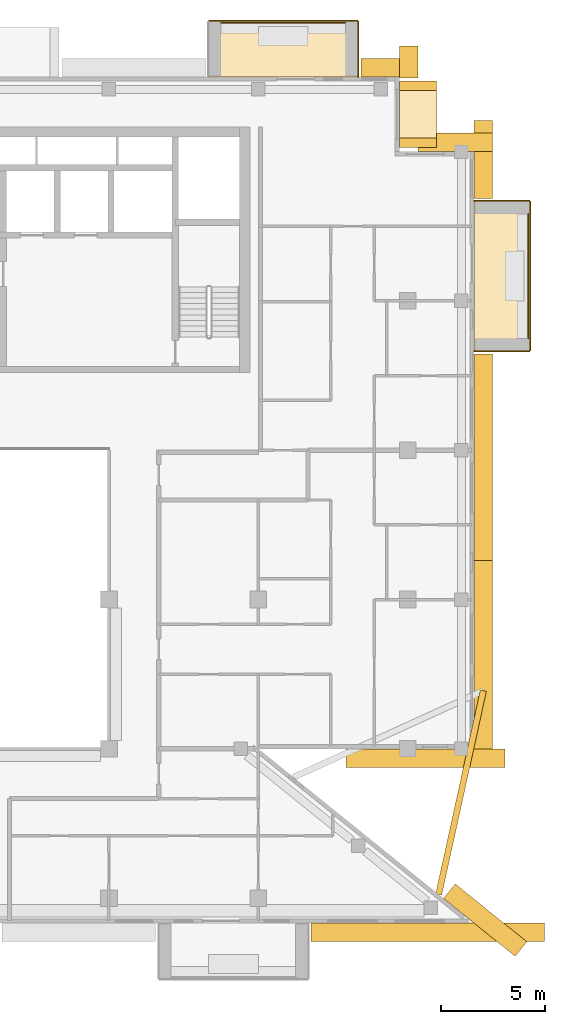
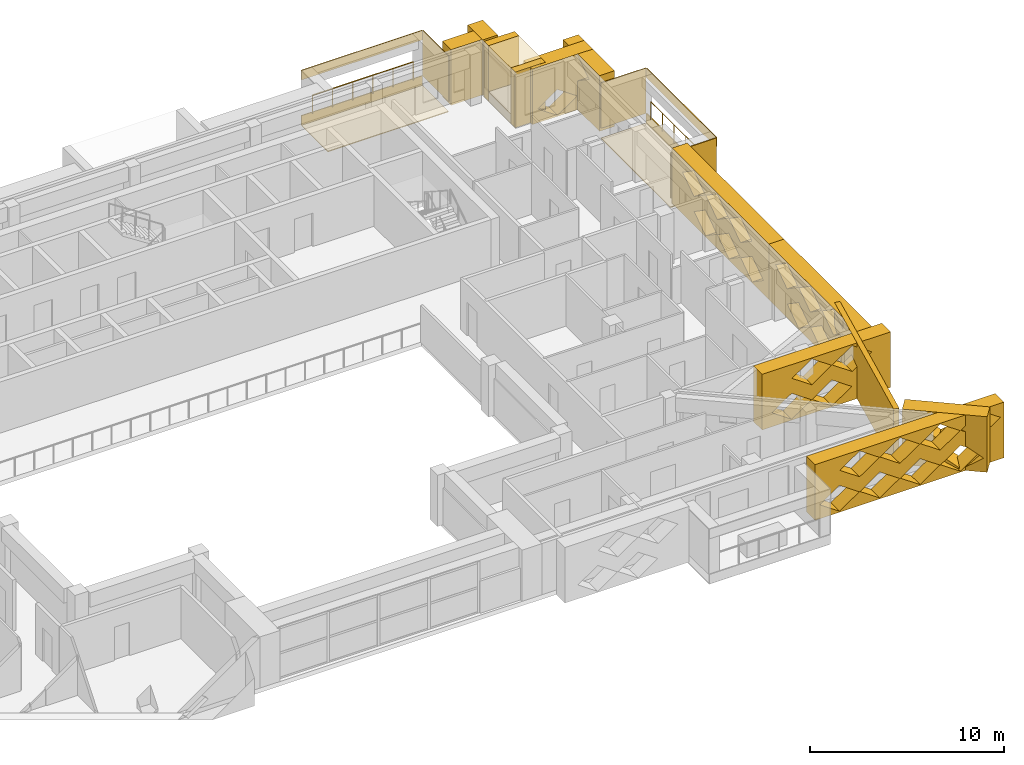
# One storey, part 19 of 19: 23 coverings, 2 railings.
"""IFC4 building model written with IfcOpenShell, lengths in metres."""

from ifc_helpers import new_model, si_unit, direction, frame, origin, origin_2d, place, context, subcontext, project, spatial, polyline, circle, outline, extrude, material, layer, layer_set, type_object, element, save


model = new_model("IFC4")

# Units and contexts
model_context = context("Model", 3, precision=1e-05, world=origin(), true_north=direction((0.0, 1.0)))
body_context = subcontext(model_context, "Body", "Model", "MODEL_VIEW")
ifc_project = project(units=[si_unit("LENGTHUNIT", "METRE"), si_unit("AREAUNIT", "SQUARE_METRE"), si_unit("VOLUMEUNIT", "CUBIC_METRE"), si_unit("PLANEANGLEUNIT", "RADIAN"), si_unit("MASSUNIT", "GRAM", prefix="KILO")], contexts=[model_context])

# Site, building, storey
site_placement = place(None, origin())
site = spatial("IfcSite", under=ifc_project, at=site_placement, CompositionType="ELEMENT")
building_placement = place(site_placement, origin())
building = spatial("IfcBuilding", under=site, at=building_placement, Name="Saffron Iwan Residences", CompositionType="ELEMENT")
storey_placement = place(building_placement, frame((0.0, 0.0, 236.0)))
storey = spatial("IfcBuildingStorey", under=building, at=storey_placement, Name="L63", CompositionType="ELEMENT", Elevation=236.0)

# Railings
ifc_material_1 = material(Name="Stainless steel 316", Category="steel")
railing_type = type_object("IfcRailingType", Name="BALCONY GUARD 1150", PredefinedType="GUARDRAIL", material=ifc_material_1)
railing_1_placement = place(storey_placement, frame((85.02490234375, 67.800048828125, 0.0)))
element("IfcRailing", 1, at=railing_1_placement, inside=storey, type_object=railing_type, Name="Balcony guard L63 F2-1", PredefinedType="GUARDRAIL", context=body_context, shape_type="SweptSolid", body=[
    extrude(circle(Radius=0.02392578125, at=origin_2d()), frame((0.0, 0.0, 1.1259765625), z_axis=(0.0, 1.0, 0.0), x_axis=(-1.0, 0.0, 0.0)), (0.0, 0.0, 1.0), 6.0),
    extrude(circle(Radius=0.02099609375, at=origin_2d()), origin(), (0.0, 0.0, 1.0), 1.101806640625),
    extrude(circle(Radius=0.02099609375, at=origin_2d()), frame((0.0, 1.199951171875, 0.0)), (0.0, 0.0, 1.0), 1.101806640625),
    extrude(circle(Radius=0.02099609375, at=origin_2d()), frame((0.0, 2.39990234375, 0.0)), (0.0, 0.0, 1.0), 1.101806640625),
    extrude(circle(Radius=0.02099609375, at=origin_2d()), frame((0.0, 3.60009765625, 0.0)), (0.0, 0.0, 1.0), 1.101806640625),
    extrude(circle(Radius=0.02099609375, at=origin_2d()), frame((0.0, 4.800048828125, 0.0)), (0.0, 0.0, 1.0), 1.101806640625),
    extrude(circle(Radius=0.02099609375, at=origin_2d()), frame((0.0, 6.0, 0.0)), (0.0, 0.0, 1.0), 1.101806640625),
])
railing_2_placement = place(storey_placement, frame((76.199951171875, 83.02490234375, 0.0)))
element("IfcRailing", 2, at=railing_2_placement, inside=storey, type_object=railing_type, Name="Balcony guard L63 F5-0", PredefinedType="GUARDRAIL", context=body_context, shape_type="SweptSolid", body=[
    extrude(circle(Radius=0.02392578125, at=origin_2d()), frame((0.0, 0.0, 1.1259765625), z_axis=(-1.0, 0.0, 0.0), x_axis=(0.0, -1.0, 0.0)), (0.0, 0.0, 1.0), 6.0),
    extrude(circle(Radius=0.02099609375, at=origin_2d()), origin(), (0.0, 0.0, 1.0), 1.101806640625),
    extrude(circle(Radius=0.02099609375, at=origin_2d()), frame((-1.199951171875, 0.0, 0.0)), (0.0, 0.0, 1.0), 1.101806640625),
    extrude(circle(Radius=0.02099609375, at=origin_2d()), frame((-2.39990234375, 0.0, 0.0)), (0.0, 0.0, 1.0), 1.101806640625),
    extrude(circle(Radius=0.02099609375, at=origin_2d()), frame((-3.60009765625, 0.0, 0.0)), (0.0, 0.0, 1.0), 1.101806640625),
    extrude(circle(Radius=0.02099609375, at=origin_2d()), frame((-4.800048828125, 0.0, 0.0)), (0.0, 0.0, 1.0), 1.101806640625),
    extrude(circle(Radius=0.02099609375, at=origin_2d()), frame((-6.0, 0.0, 0.0)), (0.0, 0.0, 1.0), 1.101806640625),
])

# Coverings
ifc_material_2 = material(Name="Precast concrete C40/50 white painted", Category="concrete")
ifc_layer_1 = layer(ifc_material_2, 0.050048828125)
ifc_layer_set_1 = layer_set([ifc_layer_1], Name="Precast concrete C40/50 white painted")
covering_type_1 = type_object("IfcCoveringType", Name="FRAME SKIN PRECAST WHITE 50", PredefinedType="CLADDING", material=ifc_layer_set_1)
for number, where, name in (
    (3, (0.0, 0.0, -0.60009765625), "Frame skin slab edge L63 F2-1"),
    (4, (0.0, 0.0, 2.25), "Frame skin fascia L63 F2-1"),
):
    element("IfcCovering", number, at=place(storey_placement, frame(where)), inside=storey, type_object=covering_type_1, Name=name, PredefinedType="CLADDING", context=body_context, shape_type="SweptSolid", body=[
        extrude(outline(polyline([(85.14990234375, 67.199951171875), (85.14990234375, 74.39990234375), (85.10009765625, 74.39990234375), (85.10009765625, 67.199951171875), (85.14990234375, 67.199951171875)])), origin(), (0.0, 0.0, 1.0), 0.60009765625),
    ])
covering_1_placement = place(storey_placement, frame((0.0, 0.0, -0.64990234375)))
element("IfcCovering", 5, at=covering_1_placement, inside=storey, type_object=covering_type_1, Name="Frame skin soffit L63 F2-1", PredefinedType="CLADDING", context=body_context, shape_type="SweptSolid", body=[
    extrude(outline(polyline([(85.10009765625, 67.199951171875), (85.10009765625, 74.39990234375), (82.39990234375, 74.39990234375), (82.39990234375, 67.199951171875), (85.10009765625, 67.199951171875)])), origin(), (0.0, 0.0, 1.0), 0.0498046875),
])
covering_2_placement = place(storey_placement, origin())
element("IfcCovering", 6, at=covering_2_placement, inside=storey, type_object=covering_type_1, Name="Frame skin fin L63 F2-1a", PredefinedType="CLADDING", context=body_context, shape_type="SweptSolid", body=[
    extrude(outline(polyline([(85.10009765625, 67.14990234375), (85.10009765625, 67.199951171875), (82.39990234375, 67.199951171875), (82.39990234375, 67.14990234375), (85.10009765625, 67.14990234375)])), origin(), (0.0, 0.0, 1.0), 2.85009765625),
])
covering_3_placement = place(storey_placement, origin())
element("IfcCovering", 7, at=covering_3_placement, inside=storey, type_object=covering_type_1, Name="Frame skin fin L63 F2-1b", PredefinedType="CLADDING", context=body_context, shape_type="SweptSolid", body=[
    extrude(outline(polyline([(85.10009765625, 74.39990234375), (85.10009765625, 74.449951171875), (82.39990234375, 74.449951171875), (82.39990234375, 74.39990234375), (85.10009765625, 74.39990234375)])), origin(), (0.0, 0.0, 1.0), 2.85009765625),
])
for number, where, name in (
    (8, (0.0, 0.0, -0.60009765625), "Frame skin slab edge L63 F5-0"),
    (9, (0.0, 0.0, 2.25), "Frame skin fascia L63 F5-0"),
):
    element("IfcCovering", number, at=place(storey_placement, frame(where)), inside=storey, type_object=covering_type_1, Name=name, PredefinedType="CLADDING", context=body_context, shape_type="SweptSolid", body=[
        extrude(outline(polyline([(76.800048828125, 83.14990234375), (69.60009765625, 83.14990234375), (69.60009765625, 83.10009765625), (76.800048828125, 83.10009765625), (76.800048828125, 83.14990234375)])), origin(), (0.0, 0.0, 1.0), 0.60009765625),
    ])
covering_4_placement = place(storey_placement, frame((0.0, 0.0, -0.64990234375)))
element("IfcCovering", 10, at=covering_4_placement, inside=storey, type_object=covering_type_1, Name="Frame skin soffit L63 F5-0", PredefinedType="CLADDING", context=body_context, shape_type="SweptSolid", body=[
    extrude(outline(polyline([(76.800048828125, 83.10009765625), (69.60009765625, 83.10009765625), (69.60009765625, 80.39990234375), (76.800048828125, 80.39990234375), (76.800048828125, 83.10009765625)])), origin(), (0.0, 0.0, 1.0), 0.0498046875),
])
covering_5_placement = place(storey_placement, origin())
element("IfcCovering", 11, at=covering_5_placement, inside=storey, type_object=covering_type_1, Name="Frame skin fin L63 F5-0a", PredefinedType="CLADDING", context=body_context, shape_type="SweptSolid", body=[
    extrude(outline(polyline([(76.85009765625, 83.10009765625), (76.800048828125, 83.10009765625), (76.800048828125, 80.39990234375), (76.85009765625, 80.39990234375), (76.85009765625, 83.10009765625)])), origin(), (0.0, 0.0, 1.0), 2.85009765625),
])
ifc_material_3 = material(Name="Precast concrete C40/50", Category="concrete")
covering_type_2 = type_object("IfcCoveringType", Name="OUTER SKIN LATTICE SCREEN", PredefinedType="CLADDING", material=ifc_material_3)
covering_6_placement = place(storey_placement, frame((84.387939453125, 37.994384765625, -0.280029296875), z_axis=(0.628558089533, 0.777762642509, 0.0), x_axis=(-0.777762642509, 0.628558089533, 0.0)))
element("IfcCovering", 12, at=covering_6_placement, inside=storey, type_object=covering_type_2, Name="OUTER SKIN lattice screen L63 F0.0", PredefinedType="CLADDING", context=body_context, shape_type="SweptSolid", body=[
    extrude(outline(polyline([(0.0, 0.0), (4.439697265625, 0.0), (4.439697265625, 3.5), (0.0, 3.5), (0.0, 0.0)]), holes=[polyline([(0.175537109375, 0.875), (1.35546875, 0.06005859375), (2.535400390625, 0.875), (1.35546875, 1.68994140625), (0.175537109375, 0.875)]), polyline([(1.37548828125, 2.625), (2.555419921875, 1.81005859375), (3.735595703125, 2.625), (2.555419921875, 3.43994140625), (1.37548828125, 2.625)])]), origin(), (0.0, 0.0, 1.0), 0.89990234375),
])
covering_7_placement = place(storey_placement, frame((76.235595703125, 48.0, -0.280029296875), z_axis=(0.0, -1.0, 0.0), x_axis=(1.0, 0.0, 0.0)))
element("IfcCovering", 13, at=covering_7_placement, inside=storey, type_object=covering_type_2, Name="OUTER SKIN lattice screen L63 F1.0", PredefinedType="CLADDING", context=body_context, shape_type="SweptSolid", body=[
    extrude(outline(polyline([(0.0, 0.0), (7.66455078125, 0.0), (7.66455078125, 3.5), (0.0, 3.5), (0.0, 0.0)]), holes=[polyline([(0.58447265625, 0.875), (1.764404296875, 0.06005859375), (2.944580078125, 0.875), (1.764404296875, 1.68994140625), (0.58447265625, 0.875)]), polyline([(2.984619140625, 0.875), (4.16455078125, 0.06005859375), (5.344482421875, 0.875), (4.16455078125, 1.68994140625), (2.984619140625, 0.875)]), polyline([(1.784423828125, 2.625), (2.964599609375, 1.81005859375), (4.14453125, 2.625), (2.964599609375, 3.43994140625), (1.784423828125, 2.625)]), polyline([(4.1845703125, 2.625), (5.364501953125, 1.81005859375), (6.54443359375, 2.625), (5.364501953125, 3.43994140625), (4.1845703125, 2.625)])]), origin(), (0.0, 0.0, 1.0), 0.89990234375),
])
covering_8_placement = place(storey_placement, frame((82.39990234375, 47.10009765625, -0.280029296875), z_axis=(1.0, 0.0, 0.0), x_axis=(0.0, 1.0, 0.0)))
element("IfcCovering", 14, at=covering_8_placement, inside=storey, type_object=covering_type_2, Name="OUTER SKIN lattice screen L63 F2.0", PredefinedType="CLADDING", context=body_context, shape_type="SweptSolid", body=[
    extrude(outline(polyline([(0.0, 0.0), (9.97509765625, 0.0), (9.97509765625, 3.5), (0.0, 3.5), (0.0, 0.0)]), holes=[polyline([(0.919921875, 0.875), (2.10009765625, 0.06005859375), (3.280029296875, 0.875), (2.10009765625, 1.68994140625), (0.919921875, 0.875)]), polyline([(3.320068359375, 0.875), (4.5, 0.06005859375), (5.679931640625, 0.875), (4.5, 1.68994140625), (3.320068359375, 0.875)]), polyline([(5.719970703125, 0.875), (6.89990234375, 0.06005859375), (8.080078125, 0.875), (6.89990234375, 1.68994140625), (5.719970703125, 0.875)]), polyline([(2.1201171875, 2.625), (3.300048828125, 1.81005859375), (4.47998046875, 2.625), (3.300048828125, 3.43994140625), (2.1201171875, 2.625)]), polyline([(4.52001953125, 2.625), (5.699951171875, 1.81005859375), (6.8798828125, 2.625), (5.699951171875, 3.43994140625), (4.52001953125, 2.625)]), polyline([(6.919921875, 2.625), (8.10009765625, 1.81005859375), (9.280029296875, 2.625), (8.10009765625, 3.43994140625), (6.919921875, 2.625)])]), origin(), (0.0, 0.0, 1.0), 0.900146484375),
])
covering_9_placement = place(storey_placement, frame((82.39990234375, 57.074951171875, -0.280029296875), z_axis=(1.0, 0.0, 0.0), x_axis=(0.0, 1.0, 0.0)))
element("IfcCovering", 15, at=covering_9_placement, inside=storey, type_object=covering_type_2, Name="OUTER SKIN lattice screen L63 F2.1", PredefinedType="CLADDING", context=body_context, shape_type="SweptSolid", body=[
    extrude(outline(polyline([(0.0, 0.0), (9.97509765625, 0.0), (9.97509765625, 3.5), (0.0, 3.5), (0.0, 0.0)]), holes=[polyline([(0.544921875, 0.875), (1.72509765625, 0.06005859375), (2.905029296875, 0.875), (1.72509765625, 1.68994140625), (0.544921875, 0.875)]), polyline([(2.945068359375, 0.875), (4.125, 0.06005859375), (5.304931640625, 0.875), (4.125, 1.68994140625), (2.945068359375, 0.875)]), polyline([(5.344970703125, 0.875), (6.52490234375, 0.06005859375), (7.705078125, 0.875), (6.52490234375, 1.68994140625), (5.344970703125, 0.875)]), polyline([(1.7451171875, 2.625), (2.925048828125, 1.81005859375), (4.10498046875, 2.625), (2.925048828125, 3.43994140625), (1.7451171875, 2.625)]), polyline([(4.14501953125, 2.625), (5.324951171875, 1.81005859375), (6.5048828125, 2.625), (5.324951171875, 3.43994140625), (4.14501953125, 2.625)]), polyline([(6.544921875, 2.625), (7.72509765625, 1.81005859375), (8.905029296875, 2.625), (7.72509765625, 3.43994140625), (6.544921875, 2.625)])]), origin(), (0.0, 0.0, 1.0), 0.900146484375),
])
covering_10_placement = place(storey_placement, frame((82.39990234375, 74.550048828125, -0.280029296875), z_axis=(1.0, 0.0, 0.0), x_axis=(0.0, 1.0, 0.0)))
element("IfcCovering", 16, at=covering_10_placement, inside=storey, type_object=covering_type_2, Name="OUTER SKIN lattice screen L63 F2.2", PredefinedType="CLADDING", context=body_context, shape_type="SweptSolid", body=[
    extrude(outline(polyline([(0.0, 0.0), (3.75, 0.0), (3.75, 3.5), (0.0, 3.5), (0.0, 0.0)]), holes=[polyline([(1.070068359375, 2.625), (2.25, 1.81005859375), (3.429931640625, 2.625), (2.25, 3.43994140625), (1.070068359375, 2.625)])]), origin(), (0.0, 0.0, 1.0), 0.900146484375),
])
covering_11_placement = place(storey_placement, frame((83.300048828125, 76.800048828125, -0.280029296875), z_axis=(0.0, 1.0, 0.0), x_axis=(-1.0, 0.0, 0.0)))
element("IfcCovering", 17, at=covering_11_placement, inside=storey, type_object=covering_type_2, Name="OUTER SKIN lattice screen L63 F3.0", PredefinedType="CLADDING", context=body_context, shape_type="SweptSolid", body=[
    extrude(outline(polyline([(0.0, 0.0), (3.60009765625, 0.0), (3.60009765625, 3.5), (0.0, 3.5), (0.0, 0.0)]), holes=[polyline([(0.919921875, 0.875), (2.10009765625, 0.06005859375), (3.280029296875, 0.875), (2.10009765625, 1.68994140625), (0.919921875, 0.875)])]), origin(), (0.0, 0.0, 1.0), 0.89990234375),
])
covering_12_placement = place(storey_placement, frame((78.800048828125, 80.35009765625, -0.280029296875), z_axis=(1.0, 0.0, 0.0), x_axis=(0.0, 1.0, 0.0)))
element("IfcCovering", 18, at=covering_12_placement, inside=storey, type_object=covering_type_2, Name="OUTER SKIN lattice screen L63 F4.0", PredefinedType="CLADDING", context=body_context, shape_type="SweptSolid", body=[
    extrude(outline(polyline([(0.0, 0.0), (1.550048828125, 0.0), (1.550048828125, 3.5), (0.0, 3.5), (0.0, 0.0)])), origin(), (0.0, 0.0, 1.0), 0.89990234375),
])
covering_13_placement = place(storey_placement, frame((79.699951171875, 80.39990234375, -0.280029296875), z_axis=(0.0, 1.0, 0.0), x_axis=(-1.0, 0.0, 0.0)))
element("IfcCovering", 19, at=covering_13_placement, inside=storey, type_object=covering_type_2, Name="OUTER SKIN lattice screen L63 F5.0", PredefinedType="CLADDING", context=body_context, shape_type="SweptSolid", body=[
    extrude(outline(polyline([(0.0, 0.0), (2.75, 0.0), (2.75, 3.5), (0.0, 3.5), (0.0, 0.0)])), origin(), (0.0, 0.0, 1.0), 0.900146484375),
])
covering_14_placement = place(storey_placement, frame((74.550048828125, 39.60009765625, -0.280029296875), z_axis=(0.0, -1.0, 0.0), x_axis=(1.0, 0.0, 0.0)))
element("IfcCovering", 20, at=covering_14_placement, inside=storey, type_object=covering_type_2, Name="OUTER SKIN lattice screen L63 F11.3", PredefinedType="CLADDING", context=body_context, shape_type="SweptSolid", body=[
    extrude(outline(polyline([(0.0, 0.0), (11.24560546875, 0.0), (11.24560546875, 3.5), (0.0, 3.5), (0.0, 0.0)]), holes=[polyline([(0.27001953125, 0.875), (1.449951171875, 0.06005859375), (2.6298828125, 0.875), (1.449951171875, 1.68994140625), (0.27001953125, 0.875)]), polyline([(2.669921875, 0.875), (3.85009765625, 0.06005859375), (5.030029296875, 0.875), (3.85009765625, 1.68994140625), (2.669921875, 0.875)]), polyline([(5.070068359375, 0.875), (6.25, 0.06005859375), (7.429931640625, 0.875), (6.25, 1.68994140625), (5.070068359375, 0.875)]), polyline([(7.469970703125, 0.875), (8.64990234375, 0.06005859375), (9.830078125, 0.875), (8.64990234375, 1.68994140625), (7.469970703125, 0.875)]), polyline([(1.469970703125, 2.625), (2.64990234375, 1.81005859375), (3.830078125, 2.625), (2.64990234375, 3.43994140625), (1.469970703125, 2.625)]), polyline([(3.8701171875, 2.625), (5.050048828125, 1.81005859375), (6.22998046875, 2.625), (5.050048828125, 3.43994140625), (3.8701171875, 2.625)]), polyline([(6.27001953125, 2.625), (7.449951171875, 1.81005859375), (8.6298828125, 2.625), (7.449951171875, 3.43994140625), (6.27001953125, 2.625)]), polyline([(8.669921875, 2.625), (9.85009765625, 1.81005859375), (11.030029296875, 2.625), (9.85009765625, 3.43994140625), (8.669921875, 2.625)])]), origin(), (0.0, 0.0, 1.0), 0.900146484375),
])
ifc_layer_2 = layer(ifc_material_2, 0.300048828125)
ifc_layer_set_2 = layer_set([ifc_layer_2], Name="Precast concrete C40/50 white painted")
covering_type_3 = type_object("IfcCoveringType", Name="PROW NOSE BLADE PRECAST WHITE", PredefinedType="CLADDING", material=ifc_layer_set_2)
covering_15_placement = place(storey_placement, frame((0.0, 0.0, -0.280029296875)))
element("IfcCovering", 21, at=covering_15_placement, inside=storey, type_object=covering_type_3, Name="Prow nose blade L63 a", PredefinedType="CLADDING", context=body_context, shape_type="SweptSolid", body=[
    extrude(outline(polyline([(80.847412109375, 40.9404296875), (83.001708984375, 50.769287109375), (82.70849609375, 50.83349609375), (80.55419921875, 41.004638671875), (80.847412109375, 40.9404296875)])), origin(), (0.0, 0.0, 1.0), 3.5),
])
covering_type_4 = type_object("IfcCoveringType", Name="WHITE SUN FRAME PRECAST", PredefinedType="CLADDING", material=ifc_material_2)
for number, where, z_axis, x_axis, name in (
    (22, (78.800048828125, 77.0, -0.280029296875), (1.0, 0.0, 0.0), (0.0, 1.0, 0.0), "Sun frame L63 F4 0.2a"),
    (23, (78.800048828125, 79.75, -0.280029296875), (1.0, 0.0, 0.0), (0.0, 1.0, 0.0), "Sun frame L63 F4 0.2b"),
):
    element("IfcCovering", number, at=place(storey_placement, frame(where, z_axis=z_axis, x_axis=x_axis)), inside=storey, type_object=covering_type_4, Name=name, PredefinedType="CLADDING", context=body_context, shape_type="SweptSolid", body=[
        extrude(outline(polyline([(0.0, 0.0), (0.449951171875, 0.0), (0.449951171875, 3.5), (0.0, 3.5), (0.0, 0.0)])), origin(), (0.0, 0.0, 1.0), 1.800048828125),
    ])
for number, where, z_axis, x_axis, name in (
    (24, (78.800048828125, 77.449951171875, 2.6201171875), (1.0, 0.0, 0.0), (0.0, 1.0, 0.0), "Sun frame L63 F4 0.2h"),
    (25, (78.800048828125, 77.449951171875, -0.280029296875), (1.0, 0.0, 0.0), (0.0, 1.0, 0.0), "Sun frame L63 F4 0.2s"),
):
    element("IfcCovering", number, at=place(storey_placement, frame(where, z_axis=z_axis, x_axis=x_axis)), inside=storey, type_object=covering_type_4, Name=name, PredefinedType="CLADDING", context=body_context, shape_type="SweptSolid", body=[
        extrude(outline(polyline([(0.0, 0.0), (2.300048828125, 0.0), (2.300048828125, 0.60009765625), (0.0, 0.60009765625), (0.0, 0.0)])), origin(), (0.0, 0.0, 1.0), 1.800048828125),
    ])

save(model, "model.ifc")
